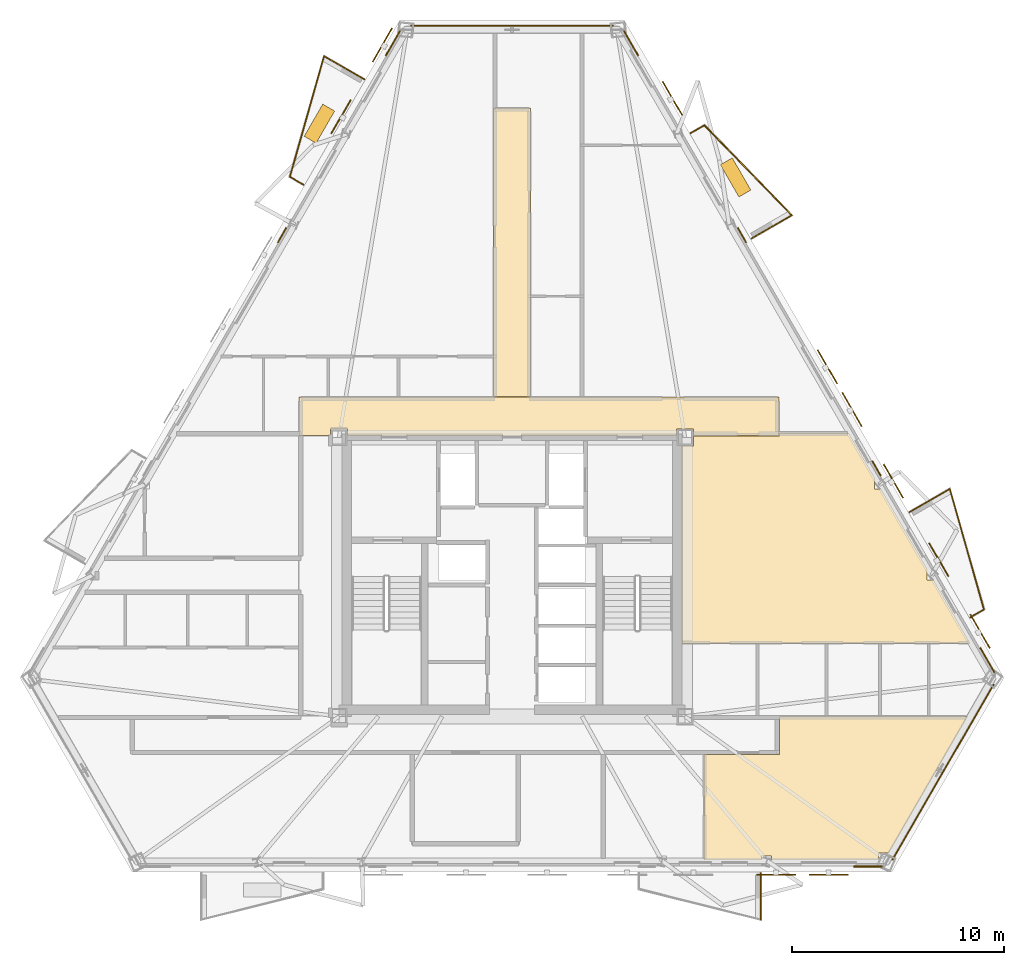
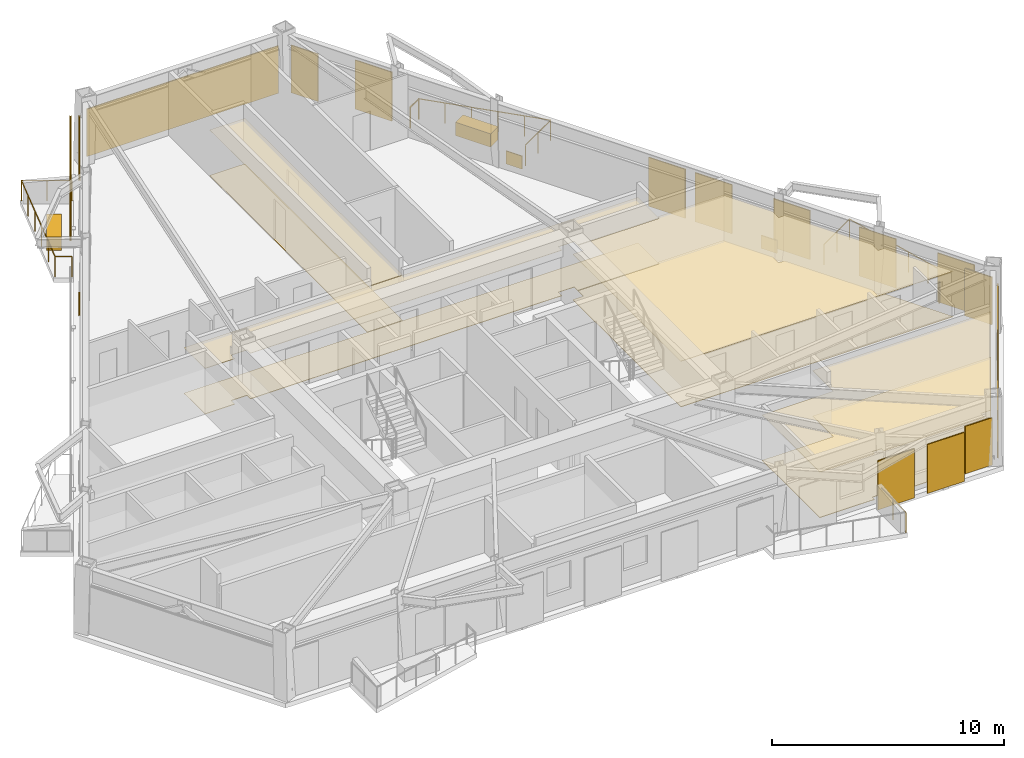
# One storey, part 9 of 9: 19 coverings, 10 railings, 10 shading devices.
"""IFC4 building model written with IfcOpenShell, lengths in metres."""

from ifc_helpers import new_model, si_unit, direction, frame, origin, origin_2d, place, context, subcontext, project, spatial, polyline, rectangle, circle, outline, extrude, material, layer, layer_set, type_object, element, save


model = new_model("IFC4")

# Units and contexts
model_context = context("Model", 3, precision=1e-05, world=origin(), true_north=direction((0.0, 1.0)))
body_context = subcontext(model_context, "Body", "Model", "MODEL_VIEW")
ifc_project = project(units=[si_unit("LENGTHUNIT", "METRE"), si_unit("AREAUNIT", "SQUARE_METRE"), si_unit("VOLUMEUNIT", "CUBIC_METRE"), si_unit("PLANEANGLEUNIT", "RADIAN"), si_unit("MASSUNIT", "GRAM", prefix="KILO")], contexts=[model_context])

# Site, building, storey
site_placement = place(None, origin())
site = spatial("IfcSite", under=ifc_project, at=site_placement, CompositionType="ELEMENT")
building_placement = place(site_placement, origin())
building = spatial("IfcBuilding", under=site, at=building_placement, Name="Oramaril Tower", CompositionType="ELEMENT")
storey_placement = place(building_placement, frame((0.0, 0.0, 138.60009765625)))
storey = spatial("IfcBuildingStorey", under=building, at=storey_placement, Name="L36", CompositionType="ELEMENT", Elevation=138.60009765625)

# Coverings
ifc_material_1 = material(Name="Mineral Fibre Acoustic Ceiling")
ifc_layer_1 = layer(ifc_material_1, 0.02001953125)
ifc_layer_set_1 = layer_set([ifc_layer_1], Name="CVT-CEIL")
covering_type_1 = type_object("IfcCoveringType", Name="CVT-CEIL", PredefinedType="CEILING", material=ifc_layer_set_1)
covering_1_placement = place(storey_placement, frame((0.0, 0.0, 2.39990234375)))
element("IfcCovering", 1, at=covering_1_placement, inside=storey, type_object=covering_type_1, Name="L36 Acoustic Suspended Ceiling 2", PredefinedType="CEILING", context=body_context, shape_type="SweptSolid", body=[
    extrude(outline(polyline([(50.080078125, 24.239990234375), (46.044921875, 24.239990234375), (46.044921875, 24.544921875), (45.2548828125, 24.544921875), (45.2548828125, 24.25), (29.7451171875, 24.25), (29.7451171875, 24.544921875), (28.955078125, 24.544921875), (28.955078125, 24.239990234375), (27.469970703125, 24.239990234375), (27.469970703125, 26.050048828125), (50.080078125, 26.050048828125), (50.080078125, 24.239990234375)])), origin(), (0.0, 0.0, 1.0), 0.02001953125),
])
covering_2_placement = place(storey_placement, frame((0.0, 0.0, 2.39990234375)))
element("IfcCovering", 2, at=covering_2_placement, inside=storey, type_object=covering_type_1, Name="L36 Acoustic Suspended Ceiling 4", PredefinedType="CEILING", context=body_context, shape_type="SweptSolid", body=[
    extrude(outline(polyline([(38.3798828125, 26.070068359375), (36.6201171875, 26.070068359375), (36.6201171875, 39.679931640625), (38.3798828125, 39.679931640625), (38.3798828125, 26.070068359375)])), origin(), (0.0, 0.0, 1.0), 0.02001953125),
])
covering_3_placement = place(storey_placement, frame((0.0, 0.0, 2.39990234375)))
element("IfcCovering", 3, at=covering_3_placement, inside=storey, type_object=covering_type_1, Name="L36 Acoustic Suspended Ceiling 7", PredefinedType="CEILING", context=body_context, shape_type="SweptSolid", body=[
    extrude(outline(polyline([(58.974609375, 10.991943359375), (55.266845703125, 4.570068359375), (54.76220703125, 4.570068359375), (54.76220703125, 4.228759765625), (49.733154296875, 4.228759765625), (49.733154296875, 4.419677734375), (49.270263671875, 4.419677734375), (49.270263671875, 4.228759765625), (46.54638671875, 4.228759765625), (46.54638671875, 9.199951171875), (50.080078125, 9.199951171875), (50.08203125, 9.2001953125), (50.083984375, 9.200439453125), (50.085693359375, 9.200927734375), (50.087646484375, 9.201416015625), (50.08935546875, 9.202392578125), (50.091064453125, 9.203369140625), (50.0927734375, 9.20458984375), (50.093994140625, 9.205810546875), (50.095458984375, 9.207275390625), (50.0966796875, 9.208984375), (50.09765625, 9.210693359375), (50.098388671875, 9.21240234375), (50.09912109375, 9.214111328125), (50.099609375, 9.216064453125), (50.099853515625, 9.218017578125), (50.10009765625, 9.219970703125), (50.10009765625, 10.991943359375), (58.974609375, 10.991943359375)])), origin(), (0.0, 0.0, 1.0), 0.02001953125),
])
covering_4_placement = place(storey_placement, frame((0.0, 0.0, 2.39990234375)))
element("IfcCovering", 4, at=covering_4_placement, inside=storey, type_object=covering_type_1, Name="L36 Acoustic Suspended Ceiling 16", PredefinedType="CEILING", context=body_context, shape_type="SweptSolid", body=[
    extrude(outline(polyline([(54.61328125, 22.201171875), (54.58349609375, 22.201171875), (54.58349609375, 21.710205078125), (54.89697265625, 21.710205078125), (57.081787109375, 17.92578125), (57.056884765625, 17.92578125), (57.056884765625, 17.42626953125), (57.370361328125, 17.42626953125), (59.095703125, 14.43798828125), (45.51806640625, 14.43798828125), (45.51806640625, 23.7548828125), (46.044921875, 23.7548828125), (46.044921875, 24.219970703125), (50.080078125, 24.219970703125), (50.08203125, 24.22021484375), (50.083984375, 24.220458984375), (50.085693359375, 24.220947265625), (50.087646484375, 24.221435546875), (50.08935546875, 24.222412109375), (50.091064453125, 24.223388671875), (50.0927734375, 24.224609375), (50.093994140625, 24.225830078125), (50.095458984375, 24.227294921875), (50.0966796875, 24.22900390625), (50.09765625, 24.230712890625), (50.098388671875, 24.232421875), (50.09912109375, 24.234130859375), (50.099609375, 24.236083984375), (50.099853515625, 24.238037109375), (50.10009765625, 24.239990234375), (50.10009765625, 24.362060546875), (53.365966796875, 24.362060546875), (54.61328125, 22.201171875)])), origin(), (0.0, 0.0, 1.0), 0.02001953125),
])
ifc_material_2 = material(Name="Warm Cream Limestone", Category="masonry")
ifc_layer_2 = layer(ifc_material_2, 0.050048828125)
ifc_layer_set_2 = layer_set([ifc_layer_2], Name="CVT-CLD")
covering_type_2 = type_object("IfcCoveringType", Name="CVT-CLD", PredefinedType="CLADDING", material=ifc_layer_set_2)
covering_5_placement = place(storey_placement, frame((54.281982421875, 3.927734375, 0.039794921875), z_axis=(0.0, 0.0, 1.0), x_axis=(1.0, 0.0, 0.0)))
element("IfcCovering", 5, at=covering_5_placement, inside=storey, type_object=covering_type_2, Name="L36 Warm Cream Limestone Cladding", PredefinedType="CLADDING", context=body_context, shape_type="SweptSolid", body=[
    extrude(rectangle(XDim=1.35009765625, YDim=0.050048828125, at=origin_2d()), origin(), (0.0, 0.0, 1.0), 2.5),
])
covering_6_placement = place(storey_placement, frame((57.810302734375, 8.373779296875, 0.039794921875), z_axis=(0.0, 0.0, 1.0), x_axis=(0.500001511499, 0.866024531118, 0.0)))
element("IfcCovering", 6, at=covering_6_placement, inside=storey, type_object=covering_type_2, Name="L36 Warm Cream Limestone Cladding", PredefinedType="CLADDING", context=body_context, shape_type="SweptSolid", body=[
    extrude(rectangle(XDim=9.544921875, YDim=0.050048828125, at=origin_2d()), origin(), (0.0, 0.0, 1.0), 2.5),
])
for number, where, z_axis, x_axis, name in (
    (7, (59.896484375, 13.65234375, 0.039794921875), (0.0, 0.0, 1.0), (-0.5, 0.866025403784, 0.0), "L36 Warm Cream Limestone Cladding"),
    (8, (43.114501953125, 42.719970703125, 0.039794921875), (0.0, 0.0, 1.0), (-0.5, 0.866025403784, 0.0), "L36 Warm Cream Limestone Cladding"),
):
    element("IfcCovering", number, at=place(storey_placement, frame(where, z_axis=z_axis, x_axis=x_axis)), inside=storey, type_object=covering_type_2, Name=name, PredefinedType="CLADDING", context=body_context, shape_type="SweptSolid", body=[
        extrude(rectangle(XDim=1.35009765625, YDim=0.050048828125, at=origin_2d()), origin(), (0.0, 0.0, 1.0), 2.5),
    ])
for number, where, z_axis, x_axis, name in (
    (9, (54.679443359375, 22.68896484375, 0.0400390625), (0.0, 0.0, 1.0), (-0.5, 0.866025403784, 0.0), "L36 Warm Cream Limestone Spandrel Cladding"),
    (10, (48.331787109375, 33.683349609375, 0.0400390625), (0.0, 0.0, 1.0), (-0.5, 0.866025403784, 0.0), "L36 Warm Cream Limestone Spandrel Cladding"),
):
    element("IfcCovering", number, at=place(storey_placement, frame(where, z_axis=z_axis, x_axis=x_axis)), inside=storey, type_object=covering_type_2, Name=name, PredefinedType="CLADDING", context=body_context, shape_type="SweptSolid", body=[
        extrude(rectangle(XDim=0.800048828125, YDim=0.050048828125, at=origin_2d()), origin(), (0.0, 0.0, 1.0), 0.679931640625),
    ])
covering_7_placement = place(storey_placement, frame((37.5, 43.552490234375, 0.039794921875), z_axis=(0.0, 0.0, 1.0), x_axis=(-1.0, 0.0, 0.0)))
element("IfcCovering", 11, at=covering_7_placement, inside=storey, type_object=covering_type_2, Name="L36 Warm Cream Limestone Cladding", PredefinedType="CLADDING", context=body_context, shape_type="SweptSolid", body=[
    extrude(rectangle(XDim=9.544921875, YDim=0.050048828125, at=origin_2d()), origin(), (0.0, 0.0, 1.0), 2.5),
])
covering_8_placement = place(storey_placement, frame((31.885498046875, 42.719970703125, 0.039794921875), z_axis=(0.0, 0.0, 1.0), x_axis=(-0.5, -0.866025403784, 0.0)))
element("IfcCovering", 12, at=covering_8_placement, inside=storey, type_object=covering_type_2, Name="L36 Warm Cream Limestone Cladding", PredefinedType="CLADDING", context=body_context, shape_type="SweptSolid", body=[
    extrude(rectangle(XDim=1.35009765625, YDim=0.050048828125, at=origin_2d()), origin(), (0.0, 0.0, 1.0), 2.5),
])
covering_9_placement = place(storey_placement, frame((26.668212890625, 33.683349609375, 0.0400390625), z_axis=(0.0, 0.0, 1.0), x_axis=(-0.5, -0.866025403784, 0.0)))
element("IfcCovering", 13, at=covering_9_placement, inside=storey, type_object=covering_type_2, Name="L36 Warm Cream Limestone Spandrel Cladding", PredefinedType="CLADDING", context=body_context, shape_type="SweptSolid", body=[
    extrude(rectangle(XDim=0.800048828125, YDim=0.050048828125, at=origin_2d()), origin(), (0.0, 0.0, 1.0), 0.679931640625),
])
for number, where, z_axis, x_axis, name in (
    (14, (48.03759765625, 36.400146484375, 0.0), (0.0, 0.0, 1.0), (-0.5, 0.866025403784, 0.0), "L36 Structural Tree Planter Box L36-BAL-NE2"),
    (15, (28.425048828125, 38.933349609375, 0.0), (0.0, 0.0, 1.0), (-0.5, -0.866025403784, 0.0), "L36 Structural Tree Planter Box L36-BAL-NW1"),
):
    element("IfcCovering", number, at=place(storey_placement, frame(where, z_axis=z_axis, x_axis=x_axis)), inside=storey, type_object=covering_type_2, Name=name, PredefinedType="CLADDING", context=body_context, shape_type="SweptSolid", body=[
        extrude(rectangle(XDim=1.75, YDim=0.64990234375, at=origin_2d()), origin(), (0.0, 0.0, 1.0), 0.699951171875),
    ])
ifc_material_3 = material(Name="Honed Quartzite Stone Flooring", Category="masonry")
ifc_layer_3 = layer(ifc_material_3, 0.02490234375)
ifc_layer_set_3 = layer_set([ifc_layer_3], Name="CVT-FLR")
covering_type_3 = type_object("IfcCoveringType", Name="CVT-FLR", PredefinedType="FLOORING", material=ifc_layer_set_3)
covering_10_placement = place(storey_placement, origin())
element("IfcCovering", 16, at=covering_10_placement, inside=storey, type_object=covering_type_3, Name="L36 Honed Stone Floor Finish 2", PredefinedType="FLOORING", context=body_context, shape_type="SweptSolid", body=[
    extrude(outline(polyline([(50.080078125, 24.239990234375), (46.044921875, 24.239990234375), (46.044921875, 24.544921875), (45.2548828125, 24.544921875), (45.2548828125, 24.25), (29.7451171875, 24.25), (29.7451171875, 24.544921875), (28.955078125, 24.544921875), (28.955078125, 24.239990234375), (27.469970703125, 24.239990234375), (27.469970703125, 26.050048828125), (50.080078125, 26.050048828125), (50.080078125, 24.239990234375)])), origin(), (0.0, 0.0, 1.0), 0.02490234375),
])
covering_11_placement = place(storey_placement, origin())
element("IfcCovering", 17, at=covering_11_placement, inside=storey, type_object=covering_type_3, Name="L36 Honed Stone Floor Finish 4", PredefinedType="FLOORING", context=body_context, shape_type="SweptSolid", body=[
    extrude(outline(polyline([(38.3798828125, 26.070068359375), (36.6201171875, 26.070068359375), (36.6201171875, 39.679931640625), (38.3798828125, 39.679931640625), (38.3798828125, 26.070068359375)])), origin(), (0.0, 0.0, 1.0), 0.02490234375),
])
covering_12_placement = place(storey_placement, origin())
element("IfcCovering", 18, at=covering_12_placement, inside=storey, type_object=covering_type_3, Name="L36 Honed Stone Floor Finish 7", PredefinedType="FLOORING", context=body_context, shape_type="SweptSolid", body=[
    extrude(outline(polyline([(58.974609375, 10.991943359375), (55.266845703125, 4.570068359375), (54.76220703125, 4.570068359375), (54.76220703125, 4.228759765625), (49.733154296875, 4.228759765625), (49.733154296875, 4.419677734375), (49.270263671875, 4.419677734375), (49.270263671875, 4.228759765625), (46.54638671875, 4.228759765625), (46.54638671875, 9.199951171875), (50.080078125, 9.199951171875), (50.08203125, 9.2001953125), (50.083984375, 9.200439453125), (50.085693359375, 9.200927734375), (50.087646484375, 9.201416015625), (50.08935546875, 9.202392578125), (50.091064453125, 9.203369140625), (50.0927734375, 9.20458984375), (50.093994140625, 9.205810546875), (50.095458984375, 9.207275390625), (50.0966796875, 9.208984375), (50.09765625, 9.210693359375), (50.098388671875, 9.21240234375), (50.09912109375, 9.214111328125), (50.099609375, 9.216064453125), (50.099853515625, 9.218017578125), (50.10009765625, 9.219970703125), (50.10009765625, 10.991943359375), (58.974609375, 10.991943359375)])), origin(), (0.0, 0.0, 1.0), 0.02490234375),
])
covering_13_placement = place(storey_placement, origin())
element("IfcCovering", 19, at=covering_13_placement, inside=storey, type_object=covering_type_3, Name="L36 Honed Stone Floor Finish 16", PredefinedType="FLOORING", context=body_context, shape_type="SweptSolid", body=[
    extrude(outline(polyline([(54.61328125, 22.201171875), (54.58349609375, 22.201171875), (54.58349609375, 21.710205078125), (54.89697265625, 21.710205078125), (57.081787109375, 17.92578125), (57.056884765625, 17.92578125), (57.056884765625, 17.42626953125), (57.370361328125, 17.42626953125), (59.095703125, 14.43798828125), (45.51806640625, 14.43798828125), (45.51806640625, 23.7548828125), (46.044921875, 23.7548828125), (46.044921875, 24.219970703125), (50.080078125, 24.219970703125), (50.08203125, 24.22021484375), (50.083984375, 24.220458984375), (50.085693359375, 24.220947265625), (50.087646484375, 24.221435546875), (50.08935546875, 24.222412109375), (50.091064453125, 24.223388671875), (50.0927734375, 24.224609375), (50.093994140625, 24.225830078125), (50.095458984375, 24.227294921875), (50.0966796875, 24.22900390625), (50.09765625, 24.230712890625), (50.098388671875, 24.232421875), (50.09912109375, 24.234130859375), (50.099609375, 24.236083984375), (50.099853515625, 24.238037109375), (50.10009765625, 24.239990234375), (50.10009765625, 24.362060546875), (53.365966796875, 24.362060546875), (54.61328125, 22.201171875)])), origin(), (0.0, 0.0, 1.0), 0.02490234375),
])

# Railings
ifc_material_4 = material(Name="Stainless Steel 316L", Category="steel")
railing_type = type_object("IfcRailingType", Name="RLT-GRD", PredefinedType="GUARDRAIL", material=ifc_material_4)
railing_1_placement = place(storey_placement, frame((49.212646484375, 3.61279296875, 0.0)))
element("IfcRailing", 20, at=railing_1_placement, inside=storey, type_object=railing_type, Name="L36 Balcony Guardrail L36-BAL-S2.1", PredefinedType="GUARDRAIL", context=body_context, shape_type="SweptSolid", body=[
    extrude(circle(Radius=0.02392578125, at=origin_2d()), frame((0.0, 0.0, 1.076171875), z_axis=(0.0, -1.0, 0.0), x_axis=(1.0, 0.0, 0.0)), (0.0, 0.0, 1.0), 2.19189453125),
    extrude(circle(Radius=0.02099609375, at=origin_2d()), origin(), (0.0, 0.0, 1.0), 1.052001953125),
    extrude(circle(Radius=0.02099609375, at=origin_2d()), frame((0.0, -1.095947265625, 0.0)), (0.0, 0.0, 1.0), 1.052001953125),
    extrude(circle(Radius=0.02099609375, at=origin_2d()), frame((0.0, -2.19189453125, 0.0)), (0.0, 0.0, 1.0), 1.052001953125),
])
railing_2_placement = place(storey_placement, frame((56.232421875, 20.62939453125, 0.0)))
element("IfcRailing", 21, at=railing_2_placement, inside=storey, type_object=railing_type, Name="L36 Balcony Guardrail L36-BAL-NE1.1", PredefinedType="GUARDRAIL", context=body_context, shape_type="SweptSolid", body=[
    extrude(circle(Radius=0.02392578125, at=origin_2d()), frame((0.0, 0.0, 1.076171875), z_axis=(0.866020500697, 0.5000084923, 0.0), x_axis=(-0.5000084923, 0.866020500697, 0.0)), (0.0, 0.0, 1.0), 2.19189453125),
    extrude(circle(Radius=0.02099609375, at=origin_2d()), origin(), (0.0, 0.0, 1.0), 1.052001953125),
    extrude(circle(Radius=0.02099609375, at=origin_2d()), frame((0.94921875, 0.5478515625, 0.0)), (0.0, 0.0, 1.0), 1.052001953125),
    extrude(circle(Radius=0.02099609375, at=origin_2d()), frame((1.898193359375, 1.095947265625, 0.0)), (0.0, 0.0, 1.0), 1.052001953125),
])
railing_3_placement = place(storey_placement, frame((58.130615234375, 21.725341796875, 0.0)))
element("IfcRailing", 22, at=railing_3_placement, inside=storey, type_object=railing_type, Name="L36 Balcony Guardrail L36-BAL-NE1.2", PredefinedType="GUARDRAIL", context=body_context, shape_type="SweptSolid", body=[
    extrude(circle(Radius=0.02392578125, at=origin_2d()), frame((0.0, 0.0, 1.076171875), z_axis=(0.27224886544, -0.962226873074, 0.0), x_axis=(0.962226873074, 0.27224886544, 0.0)), (0.0, 0.0, 1.0), 5.910400390625),
    extrude(circle(Radius=0.02099609375, at=origin_2d()), origin(), (0.0, 0.0, 1.0), 1.052001953125),
    extrude(circle(Radius=0.02099609375, at=origin_2d()), frame((0.32177734375, -1.137451171875, 0.0)), (0.0, 0.0, 1.0), 1.052001953125),
    extrude(circle(Radius=0.02099609375, at=origin_2d()), frame((0.6435546875, -2.27490234375, 0.0)), (0.0, 0.0, 1.0), 1.052001953125),
    extrude(circle(Radius=0.02099609375, at=origin_2d()), frame((0.965576171875, -3.412353515625, 0.0)), (0.0, 0.0, 1.0), 1.052001953125),
    extrude(circle(Radius=0.02099609375, at=origin_2d()), frame((1.287353515625, -4.5498046875, 0.0)), (0.0, 0.0, 1.0), 1.052001953125),
    extrude(circle(Radius=0.02099609375, at=origin_2d()), frame((1.609130859375, -5.687255859375, 0.0)), (0.0, 0.0, 1.0), 1.052001953125),
])
railing_4_placement = place(storey_placement, frame((59.73974609375, 16.0380859375, 0.0)))
element("IfcRailing", 23, at=railing_4_placement, inside=storey, type_object=railing_type, Name="L36 Balcony Guardrail L36-BAL-NE1.3", PredefinedType="GUARDRAIL", context=body_context, shape_type="SweptSolid", body=[
    extrude(circle(Radius=0.02392578125, at=origin_2d()), frame((0.0, 0.0, 1.076171875), z_axis=(-0.865884080729, -0.500244698863, 0.0), x_axis=(0.500244698863, -0.865884080729, 0.0)), (0.0, 0.0, 1.0), 0.741943359375),
    extrude(circle(Radius=0.02099609375, at=origin_2d()), origin(), (0.0, 0.0, 1.0), 1.052001953125),
    extrude(circle(Radius=0.02099609375, at=origin_2d()), frame((-0.642333984375, -0.37109375, 0.0)), (0.0, 0.0, 1.0), 1.052001953125),
])
railing_5_placement = place(storey_placement, frame((45.922119140625, 38.487060546875, 0.0)))
element("IfcRailing", 24, at=railing_5_placement, inside=storey, type_object=railing_type, Name="L36 Balcony Guardrail L36-BAL-NE2.1", PredefinedType="GUARDRAIL", context=body_context, shape_type="SweptSolid", body=[
    extrude(circle(Radius=0.02392578125, at=origin_2d()), frame((0.0, 0.0, 1.076171875), z_axis=(0.865966403178, 0.500102178127, 0.0), x_axis=(-0.500102178127, 0.865966403178, 0.0)), (0.0, 0.0, 1.0), 0.741943359375),
    extrude(circle(Radius=0.02099609375, at=origin_2d()), origin(), (0.0, 0.0, 1.0), 1.052001953125),
    extrude(circle(Radius=0.02099609375, at=origin_2d()), frame((0.642578125, 0.37109375, 0.0)), (0.0, 0.0, 1.0), 1.052001953125),
])
railing_6_placement = place(storey_placement, frame((46.564697265625, 38.858154296875, 0.0)))
element("IfcRailing", 25, at=railing_6_placement, inside=storey, type_object=railing_type, Name="L36 Balcony Guardrail L36-BAL-NE2.2", PredefinedType="GUARDRAIL", context=body_context, shape_type="SweptSolid", body=[
    extrude(circle(Radius=0.02392578125, at=origin_2d()), frame((0.0, 0.0, 1.076171875), z_axis=(0.697165686546, -0.716910040034, 0.0), x_axis=(0.716910040034, 0.697165686546, 0.0)), (0.0, 0.0, 1.0), 5.910400390625),
    extrude(circle(Radius=0.02099609375, at=origin_2d()), origin(), (0.0, 0.0, 1.0), 1.052001953125),
    extrude(circle(Radius=0.02099609375, at=origin_2d()), frame((0.82421875, -0.847412109375, 0.0)), (0.0, 0.0, 1.0), 1.052001953125),
    extrude(circle(Radius=0.02099609375, at=origin_2d()), frame((1.648193359375, -1.69482421875, 0.0)), (0.0, 0.0, 1.0), 1.052001953125),
    extrude(circle(Radius=0.02099609375, at=origin_2d()), frame((2.472412109375, -2.54248046875, 0.0)), (0.0, 0.0, 1.0), 1.052001953125),
    extrude(circle(Radius=0.02099609375, at=origin_2d()), frame((3.29638671875, -3.389892578125, 0.0)), (0.0, 0.0, 1.0), 1.052001953125),
    extrude(circle(Radius=0.02099609375, at=origin_2d()), frame((4.12060546875, -4.2373046875, 0.0)), (0.0, 0.0, 1.0), 1.052001953125),
])
railing_7_placement = place(storey_placement, frame((50.685302734375, 34.620849609375, 0.0)))
element("IfcRailing", 26, at=railing_7_placement, inside=storey, type_object=railing_type, Name="L36 Balcony Guardrail L36-BAL-NE2.3", PredefinedType="GUARDRAIL", context=body_context, shape_type="SweptSolid", body=[
    extrude(circle(Radius=0.02392578125, at=origin_2d()), frame((0.0, 0.0, 1.076171875), z_axis=(-0.866020500697, -0.5000084923, 0.0), x_axis=(0.5000084923, -0.866020500697, 0.0)), (0.0, 0.0, 1.0), 2.19189453125),
    extrude(circle(Radius=0.02099609375, at=origin_2d()), origin(), (0.0, 0.0, 1.0), 1.052001953125),
    extrude(circle(Radius=0.02099609375, at=origin_2d()), frame((-0.94921875, -0.5478515625, 0.0)), (0.0, 0.0, 1.0), 1.052001953125),
    extrude(circle(Radius=0.02099609375, at=origin_2d()), frame((-1.898193359375, -1.095947265625, 0.0)), (0.0, 0.0, 1.0), 1.052001953125),
])
railing_8_placement = place(storey_placement, frame((27.67529296875, 36.05810546875, 0.0)))
element("IfcRailing", 27, at=railing_8_placement, inside=storey, type_object=railing_type, Name="L36 Balcony Guardrail L36-BAL-NW1.1", PredefinedType="GUARDRAIL", context=body_context, shape_type="SweptSolid", body=[
    extrude(circle(Radius=0.02392578125, at=origin_2d()), frame((0.0, 0.0, 1.076171875), z_axis=(-0.866026623601, 0.49999788721, 0.0), x_axis=(-0.49999788721, -0.866026623601, 0.0)), (0.0, 0.0, 1.0), 0.74169921875),
    extrude(circle(Radius=0.02099609375, at=origin_2d()), origin(), (0.0, 0.0, 1.0), 1.052001953125),
    extrude(circle(Radius=0.02099609375, at=origin_2d()), frame((-0.642333984375, 0.370849609375, 0.0)), (0.0, 0.0, 1.0), 1.052001953125),
])
railing_9_placement = place(storey_placement, frame((27.032958984375, 36.428955078125, 0.0)))
element("IfcRailing", 28, at=railing_9_placement, inside=storey, type_object=railing_type, Name="L36 Balcony Guardrail L36-BAL-NW1.2", PredefinedType="GUARDRAIL", context=body_context, shape_type="SweptSolid", body=[
    extrude(circle(Radius=0.02392578125, at=origin_2d()), frame((0.0, 0.0, 1.076171875), z_axis=(0.27224886544, 0.962226873074, 0.0), x_axis=(-0.962226873074, 0.27224886544, 0.0)), (0.0, 0.0, 1.0), 5.910400390625),
    extrude(circle(Radius=0.02099609375, at=origin_2d()), origin(), (0.0, 0.0, 1.0), 1.052001953125),
    extrude(circle(Radius=0.02099609375, at=origin_2d()), frame((0.32177734375, 1.137451171875, 0.0)), (0.0, 0.0, 1.0), 1.052001953125),
    extrude(circle(Radius=0.02099609375, at=origin_2d()), frame((0.6435546875, 2.27490234375, 0.0)), (0.0, 0.0, 1.0), 1.052001953125),
    extrude(circle(Radius=0.02099609375, at=origin_2d()), frame((0.965576171875, 3.412353515625, 0.0)), (0.0, 0.0, 1.0), 1.052001953125),
    extrude(circle(Radius=0.02099609375, at=origin_2d()), frame((1.287353515625, 4.5498046875, 0.0)), (0.0, 0.0, 1.0), 1.052001953125),
    extrude(circle(Radius=0.02099609375, at=origin_2d()), frame((1.609130859375, 5.687255859375, 0.0)), (0.0, 0.0, 1.0), 1.052001953125),
])
railing_10_placement = place(storey_placement, frame((28.64208984375, 42.1162109375, 0.0)))
element("IfcRailing", 29, at=railing_10_placement, inside=storey, type_object=railing_type, Name="L36 Balcony Guardrail L36-BAL-NW1.3", PredefinedType="GUARDRAIL", context=body_context, shape_type="SweptSolid", body=[
    extrude(circle(Radius=0.02392578125, at=origin_2d()), frame((0.0, 0.0, 1.076171875), z_axis=(0.866020500697, -0.5000084923, 0.0), x_axis=(0.5000084923, 0.866020500697, 0.0)), (0.0, 0.0, 1.0), 2.19189453125),
    extrude(circle(Radius=0.02099609375, at=origin_2d()), origin(), (0.0, 0.0, 1.0), 1.052001953125),
    extrude(circle(Radius=0.02099609375, at=origin_2d()), frame((0.94921875, -0.5478515625, 0.0)), (0.0, 0.0, 1.0), 1.052001953125),
    extrude(circle(Radius=0.02099609375, at=origin_2d()), frame((1.898193359375, -1.095947265625, 0.0)), (0.0, 0.0, 1.0), 1.052001953125),
])

# Shading devices
for number, where, z_axis, x_axis, name in (
    (30, (49.9462890625, 3.540771484375, -0.02001953125), (0.0, 0.0, 1.0), (1.0, 0.0, 0.0), "L36 Perforated Ceramic Solar Screen"),
    (31, (52.420654296875, 3.540771484375, -0.02001953125), (0.0, 0.0, 1.0), (1.0, 0.0, 0.0), "L36 Perforated Ceramic Solar Screen"),
    (32, (59.561279296875, 15.00732421875, -0.02001953125), (0.0, 0.0, 1.0), (-0.5, 0.866025403784, 0.0), "L36 Perforated Ceramic Solar Screen"),
    (33, (57.611328125, 18.384765625, -0.02001953125), (0.0, 0.0, 1.0), (-0.5, 0.866025403784, 0.0), "L36 Perforated Ceramic Solar Screen"),
    (34, (55.47216796875, 22.090087890625, -0.02001953125), (0.0, 0.0, 1.0), (-0.5, 0.866025403784, 0.0), "L36 Perforated Ceramic Solar Screen"),
    (35, (53.522216796875, 25.467529296875, -0.02001953125), (0.0, 0.0, 1.0), (-0.5, 0.866025403784, 0.0), "L36 Perforated Ceramic Solar Screen"),
    (36, (52.3623046875, 27.476318359375, -0.02001953125), (0.0, 0.0, 1.0), (-0.5, 0.866025403784, 0.0), "L36 Perforated Ceramic Solar Screen"),
    (37, (45.05810546875, 40.127685546875, -0.02001953125), (0.0, 0.0, 1.0), (-0.5, 0.866025403784, 0.0), "L36 Perforated Ceramic Solar Screen"),
    (38, (31.390380859375, 42.63671875, -0.02001953125), (0.0, 0.0, 1.0), (-0.5, -0.866025403784, 0.0), "L36 Perforated Ceramic Solar Screen"),
    (39, (29.4404296875, 39.259033203125, -0.02001953125), (0.0, 0.0, 1.0), (-0.5, -0.866025403784, 0.0), "L36 Perforated Ceramic Solar Screen"),
):
    element("IfcShadingDevice", number, at=place(storey_placement, frame(where, z_axis=z_axis, x_axis=x_axis)), inside=storey, Name=name, ObjectType="SCREEN", PredefinedType="USERDEFINED", context=body_context, shape_type="SweptSolid", body=[
        extrude(rectangle(XDim=1.8330078125, YDim=0.050048828125, at=origin_2d()), origin(), (0.0, 0.0, 1.0), 2.580078125),
    ])

save(model, "model.ifc")
